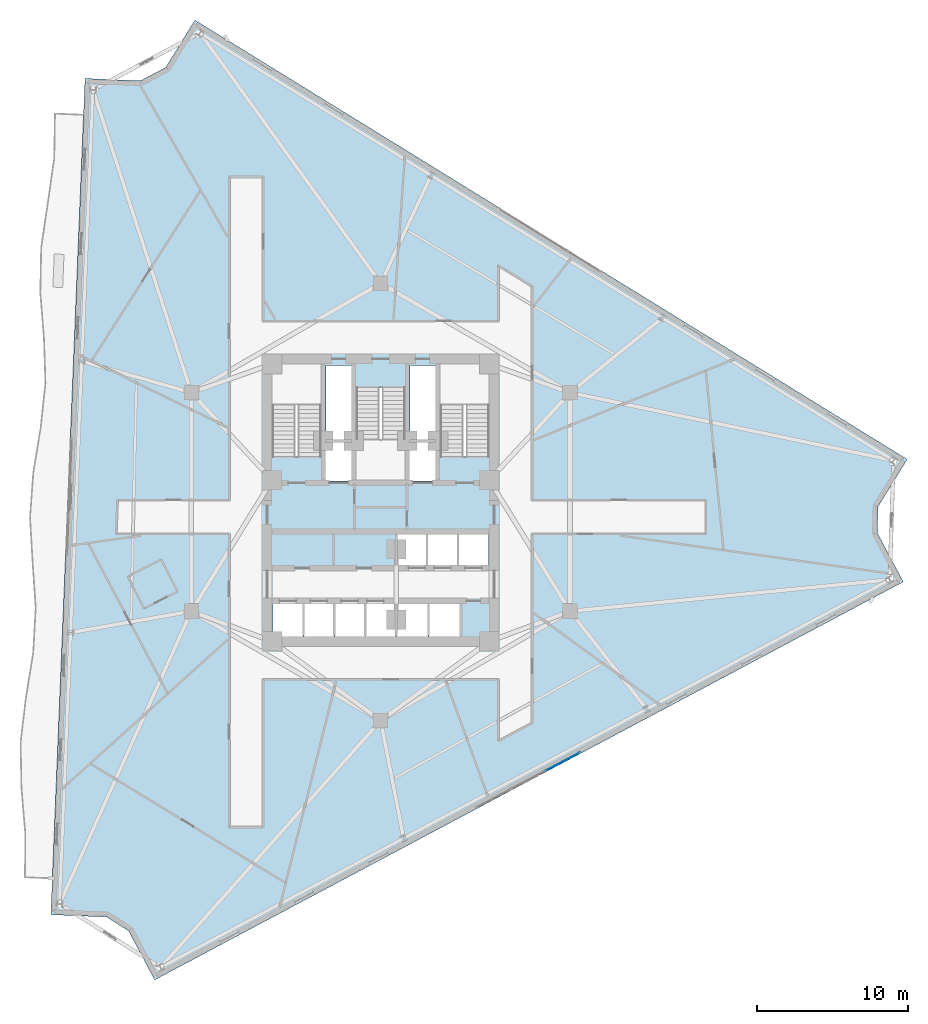
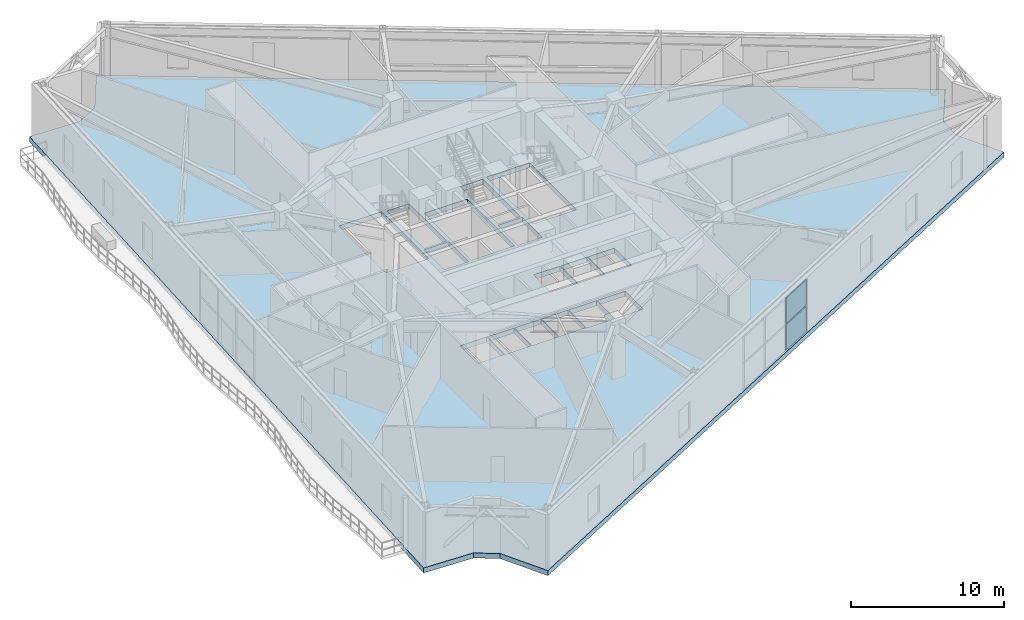
# One storey, part 13 of 22: 2 plates, 1 slab, 1 element without a shape of its own.
"""IFC4 building model written with IfcOpenShell, lengths in metres."""

import ifcopenshell
import ifcopenshell.guid

model = None  # the IFC model being written
_history = None  # IfcOwnerHistory: only IFC2X3 demands one
_inside = {}  # id of a spatial element -> (the spatial element, [elements in it])
_under = {}  # id of a project, library or spatial element -> (it, [spatial elements below it])
_declared = {}  # id of a project -> (the project, [libraries it declares])
_typed = {}  # id of a type object -> (the type object, [elements of that type])
_made_of = {}  # id of a material, layer set ... -> (it, [elements and type objects made of it])


def new_model(schema):
    """Start an empty IFC model of exactly this schema.

    Asked for "IFC4X3", IfcOpenShell would pick the latest addendum, in which some entities
    have other attributes; the version numbers below select the first issue.
    IFC2X3 requires an IfcOwnerHistory on every rooted entity: one is made here for all.
    """
    global model, _history
    if schema == "IFC4X3":
        model = ifcopenshell.file(schema_version=(4, 3, 0, 0))
    else:
        model = ifcopenshell.file(schema=schema)
    _inside.clear()
    _under.clear()
    _declared.clear()
    _typed.clear()
    _made_of.clear()
    _history = None
    if model.schema == "IFC2X3":
        org = make("IfcOrganization", Name="unknown")
        user = make(
            "IfcPersonAndOrganization",
            ThePerson=make("IfcPerson", FamilyName="unknown"),
            TheOrganization=org,
        )
        app = make(
            "IfcApplication",
            ApplicationDeveloper=org,
            Version="unknown",
            ApplicationFullName="unknown",
            ApplicationIdentifier="unknown",
        )
        _history = make(
            "IfcOwnerHistory",
            OwningUser=user,
            OwningApplication=app,
            ChangeAction="ADDED",
            CreationDate=0,
        )
    return model


def make(cls, **values):
    """One entity of the class cls with the attributes given. An attribute that is None is left unset."""
    return model.create_entity(
        cls, **{name: value for name, value in values.items() if value is not None}
    )


def rooted(cls, **values):
    """An entity with a GlobalId (a new one), such as an element, a storey or a relation."""
    return make(cls, GlobalId=ifcopenshell.guid.new(), OwnerHistory=_history, **values)


def si_unit(unit_type, name, prefix=None):
    """IfcSIUnit, for example si_unit("LENGTHUNIT", "METRE", prefix="MILLI")."""
    return make("IfcSIUnit", UnitType=unit_type, Prefix=prefix, Name=name)


def assignment(units):
    """IfcUnitAssignment: the units of a project."""
    return None if units is None else make("IfcUnitAssignment", Units=units)


def point(xyz):
    """IfcCartesianPoint."""
    return None if xyz is None else make("IfcCartesianPoint", Coordinates=xyz)


def direction(xyz):
    """IfcDirection."""
    return None if xyz is None else make("IfcDirection", DirectionRatios=xyz)


def frame(location, z_axis=None, x_axis=None):
    """IfcAxis2Placement3D, a coordinate frame: its origin and axes. An axis left out is left unset."""
    return make(
        "IfcAxis2Placement3D",
        Location=point(location),
        Axis=direction(z_axis),
        RefDirection=direction(x_axis),
    )


def frame_2d(location, x_axis=None):
    """IfcAxis2Placement2D, a coordinate frame in the plane: its origin and x axis."""
    return make(
        "IfcAxis2Placement2D", Location=point(location), RefDirection=direction(x_axis)
    )


def origin():
    """The frame at (0, 0, 0) with its axes left unset."""
    return frame((0.0, 0.0, 0.0))


def origin_2d():
    """The frame at (0, 0) in the plane with its x axis left unset."""
    return frame_2d((0.0, 0.0))


def place(relative_to, where):
    """IfcLocalPlacement: puts the frame where relative to a parent placement (None: the world)."""
    return make(
        "IfcLocalPlacement", PlacementRelTo=relative_to, RelativePlacement=where
    )


def context(
    kind, dimensions, precision=None, world=None, true_north=None, identifier=None
):
    """IfcGeometricRepresentationContext, for example the 3D "Model" context."""
    return make(
        "IfcGeometricRepresentationContext",
        ContextIdentifier=identifier,
        ContextType=kind,
        CoordinateSpaceDimension=dimensions,
        Precision=precision,
        WorldCoordinateSystem=world,
        TrueNorth=true_north,
    )


def subcontext(parent, identifier, kind, view, scale=None):
    """IfcGeometricRepresentationSubContext, for example "Body" below "Model"."""
    return make(
        "IfcGeometricRepresentationSubContext",
        ContextIdentifier=identifier,
        ContextType=kind,
        ParentContext=parent,
        TargetScale=scale,
        TargetView=view,
    )


def project(units=None, contexts=None):
    """IfcProject with its units and contexts."""
    return rooted(
        "IfcProject",
        Name="project",
        RepresentationContexts=contexts,
        UnitsInContext=assignment(units),
    )


def spatial(cls, under=None, at=None, **own):
    """A site, building, storey or space (cls), placed at a placement, below another one or the project."""
    s = rooted(cls, ObjectPlacement=at, **own)
    if under is not None:
        _under.setdefault(under.id(), (under, []))[1].append(s)
    return s


def polyline(points):
    """IfcPolyline through the points."""
    return make("IfcPolyline", Points=[point(p) for p in points])


def profile(cls, at=None, kind="AREA", **sizes):
    """A parametric profile (cls). Its sizes go by their IFC names, for example OverallWidth=200.0."""
    return make(cls, ProfileType=kind, Position=at, **sizes)


def rectangle(**sizes):
    """IfcRectangleProfileDef."""
    return profile("IfcRectangleProfileDef", **sizes)


def outline(outer, holes=None, kind="AREA"):
    """IfcArbitraryClosedProfileDef: a profile drawn as a closed curve; with holes, ...WithVoids."""
    if holes is None:
        return make("IfcArbitraryClosedProfileDef", ProfileType=kind, OuterCurve=outer)
    return make(
        "IfcArbitraryProfileDefWithVoids",
        ProfileType=kind,
        OuterCurve=outer,
        InnerCurves=holes,
    )


def extrude(swept, where, along, depth):
    """IfcExtrudedAreaSolid: the profile swept, set in the frame where, extruded along a direction by depth."""
    return make(
        "IfcExtrudedAreaSolid",
        SweptArea=swept,
        Position=where,
        ExtrudedDirection=direction(along),
        Depth=depth,
    )


def shape(context_of_items, identifier, shape_type, items):
    """IfcShapeRepresentation: the items that make up one representation, for example the "Body"."""
    return make(
        "IfcShapeRepresentation",
        ContextOfItems=context_of_items,
        RepresentationIdentifier=identifier,
        RepresentationType=shape_type,
        Items=items,
    )


def material(Name=None, Category=None):
    """IfcMaterial."""
    return make("IfcMaterial", Name=Name, Category=Category)


def layer(
    of_material, thickness, ventilated=None, Name=None, Category=None, Priority=None
):
    """IfcMaterialLayer: one layer of a wall or slab, of a material (None: an air gap)."""
    return make(
        "IfcMaterialLayer",
        Material=of_material,
        LayerThickness=thickness,
        IsVentilated=ventilated,
        Name=Name,
        Category=Category,
        Priority=Priority,
    )


def layer_set(layers, Name=None):
    """IfcMaterialLayerSet."""
    return make("IfcMaterialLayerSet", MaterialLayers=layers, LayerSetName=Name)


def made_of(thing, what):
    """Note that an element or type object is made of a material, layer set ...; save() writes the relation."""
    if what is not None:
        _made_of.setdefault(what.id(), (what, []))[1].append(thing)
    return thing


def type_object(cls, material=None, **own):
    """A type object (cls), such as IfcWallType, which elements share."""
    return made_of(rooted(cls, **own), material)


def element(
    cls,
    number,
    at=None,
    inside=None,
    cuts=None,
    type_object=None,
    material=None,
    context=None,
    identifier="Body",
    shape_type=None,
    held_by="IfcProductDefinitionShape",
    body=None,
    shapes=None,
    **own,
):
    """One element of the class cls, such as IfcWall. Its Tag is "e" and its number.

    at: its placement. inside: the storey or other place that contains it. cuts: it is an
    opening in that element (IfcRelVoidsElement). A single representation is given by context,
    identifier, shape_type and body (its items); several are given by shapes. held_by: the class
    of the entity that holds the representations. save() writes the other relations.
    """
    e = rooted(cls, Tag="e%d" % number, ObjectPlacement=at, **own)
    if body is not None:
        shapes = [shape(context, identifier, shape_type, body)]
    if shapes is not None:
        e.Representation = make(held_by, Representations=shapes)
    if inside is not None:
        _inside.setdefault(inside.id(), (inside, []))[1].append(e)
    if cuts is not None:
        rooted(
            "IfcRelVoidsElement", RelatingBuildingElement=cuts, RelatedOpeningElement=e
        )
    if type_object is not None:
        _typed.setdefault(type_object.id(), (type_object, []))[1].append(e)
    return made_of(e, material)


def aggregate(whole, parts):
    """IfcRelAggregates: a whole, such as a stair, and the parts it consists of."""
    return rooted("IfcRelAggregates", RelatingObject=whole, RelatedObjects=parts)


def save(model, path):
    """Write the relations noted so far, then the file.

    IfcRelAggregates (storeys below a building ...), IfcRelContainedInSpatialStructure (elements
    in a storey), IfcRelDefinesByType, IfcRelAssociatesMaterial and IfcRelDeclares: one each for
    every whole, place, type object, material and project.
    """
    for whole, parts in _under.values():
        aggregate(whole, parts)
    for where, things in _inside.values():
        rooted(
            "IfcRelContainedInSpatialStructure",
            RelatedElements=things,
            RelatingStructure=where,
        )
    for kind, things in _typed.values():
        rooted("IfcRelDefinesByType", RelatedObjects=things, RelatingType=kind)
    for what, things in _made_of.values():
        rooted("IfcRelAssociatesMaterial", RelatedObjects=things, RelatingMaterial=what)
    for by, libraries in _declared.values():
        rooted("IfcRelDeclares", RelatingContext=by, RelatedDefinitions=libraries)
    model.write(path)


model = new_model("IFC4")

# Units and contexts
model_context = context("Model", 3, precision=1e-05, world=origin(), true_north=direction((0.0, 1.0)))
body_context = subcontext(model_context, "Body", "Model", "MODEL_VIEW")
ifc_project = project(units=[si_unit("LENGTHUNIT", "METRE"), si_unit("AREAUNIT", "SQUARE_METRE"), si_unit("VOLUMEUNIT", "CUBIC_METRE"), si_unit("PLANEANGLEUNIT", "RADIAN"), si_unit("MASSUNIT", "GRAM", prefix="KILO")], contexts=[model_context])

# Site, building, storey
site_placement = place(None, origin())
site = spatial("IfcSite", under=ifc_project, at=site_placement, CompositionType="ELEMENT")
building_placement = place(site_placement, origin())
building = spatial("IfcBuilding", under=site, at=building_placement, Name="Apsidion Concourse Tower", CompositionType="ELEMENT")
storey_placement = place(building_placement, frame((0.0, 0.0, 160.89990234375)))
storey = spatial("IfcBuildingStorey", under=building, at=storey_placement, Name="L37", CompositionType="ELEMENT", Elevation=160.89990234375)

# Curtain wall, plates
ifc_material_1 = material(Name="Insulated laminated low-E glass", Category="glass")
ifc_layer_1 = layer(ifc_material_1, 0.2099609375)
ifc_layer_set_1 = layer_set([ifc_layer_1], Name="Insulated laminated low-E glass")
curtain_wall_type = type_object("IfcCurtainWallType", Name="CW-SYS-03", PredefinedType="NOTDEFINED", material=ifc_layer_set_1)
curtain_wall_placement = place(storey_placement, origin())
curtain_wall = element("IfcCurtainWall", 1, at=curtain_wall_placement, inside=storey, type_object=curtain_wall_type, Name="L37 Sky Lobby Curtain Wall 5", PredefinedType="NOTDEFINED")
ifc_layer_2 = layer(ifc_material_1, 0.031982421875)
ifc_layer_set_2 = layer_set([ifc_layer_2], Name="Insulated laminated low-E glass")
plate_type = type_object("IfcPlateType", Name="CWP-GLZ-32", PredefinedType="CURTAIN_PANEL", material=ifc_layer_set_2)
plate_1_placement = place(storey_placement, frame((12.0869140625, -17.215576171875, 0.06494140625), z_axis=(0.0, 0.0, 1.0), x_axis=(-0.882947409874, -0.46947190693, 0.0)))
plate_1 = element("IfcPlate", 2, at=plate_1_placement, type_object=plate_type, Name="CW-03 panel 1.1", PredefinedType="CURTAIN_PANEL", context=body_context, shape_type="SweptSolid", body=[
    extrude(rectangle(XDim=2.508544921875, YDim=0.031982421875, at=origin_2d()), origin(), (0.0, 0.0, 1.0), 2.052490234375),
])
plate_2_placement = place(storey_placement, frame((12.0869140625, -17.215576171875, 2.1826171875), z_axis=(0.0, 0.0, 1.0), x_axis=(-0.882947409874, -0.46947190693, 0.0)))
plate_2 = element("IfcPlate", 3, at=plate_2_placement, type_object=plate_type, Name="CW-03 panel 1.2", PredefinedType="CURTAIN_PANEL", context=body_context, shape_type="SweptSolid", body=[
    extrude(rectangle(XDim=2.508544921875, YDim=0.031982421875, at=origin_2d()), origin(), (0.0, 0.0, 1.0), 2.052490234375),
])
aggregate(curtain_wall, [plate_1, plate_2])

# Slab
ifc_material_2 = material(Name="Concrete C50/60", Category="concrete")
ifc_layer_3 = layer(ifc_material_2, 0.39990234375)
ifc_layer_set_3 = layer_set([ifc_layer_3], Name="Concrete C50/60")
slab_type = type_object("IfcSlabType", Name="SL-FLR-400", PredefinedType="FLOOR", material=ifc_layer_set_3)
slab_placement = place(storey_placement, frame((0.0, 0.0, -0.39990234375)))
element("IfcSlab", 4, at=slab_placement, inside=storey, type_object=slab_type, Name="L37 Structural Floor Slab", PredefinedType="FLOOR", context=body_context, shape_type="SweptSolid", body=[
    extrude(outline(polyline([(-12.3203125, 31.964111328125), (-14.256103515625, 28.824951171875), (-15.925048828125, 27.937744140625), (-19.610107421875, 28.088134765625), (-21.87548828125, -27.376220703125), (-18.1904296875, -27.526611328125), (-16.724609375, -28.448486328125), (-14.9931640625, -31.705078125), (34.668701171875, -5.29931640625), (32.937255859375, -2.04296875), (32.992431640625, -0.31201171875), (34.92822265625, 2.826904296875), (-12.3203125, 31.964111328125)]), holes=[polyline([(-3.949951171875, 3.0), (-3.949951171875, 9.14990234375), (-7.199951171875, 9.14990234375), (-7.199951171875, 3.0), (-3.949951171875, 3.0)]), polyline([(7.199951171875, 3.0), (7.199951171875, 9.14990234375), (3.949951171875, 9.14990234375), (3.949951171875, 3.0), (7.199951171875, 3.0)]), polyline([(-1.625, 7.60009765625), (-1.625, 1.449951171875), (1.625, 1.449951171875), (1.625, 7.60009765625), (-1.625, 7.60009765625)]), polyline([(1.054931640625, -4.300048828125), (3.044921875, -4.300048828125), (3.044921875, -2.050048828125), (1.054931640625, -2.050048828125), (1.054931640625, -4.300048828125)]), polyline([(3.10498046875, -4.300048828125), (5.094970703125, -4.300048828125), (5.094970703125, -2.050048828125), (3.10498046875, -2.050048828125), (3.10498046875, -4.300048828125)]), polyline([(5.155029296875, -4.300048828125), (7.14501953125, -4.300048828125), (7.14501953125, -2.050048828125), (5.155029296875, -2.050048828125), (5.155029296875, -4.300048828125)]), polyline([(-7.14501953125, -8.949951171875), (-5.155029296875, -8.949951171875), (-5.155029296875, -6.64990234375), (-7.14501953125, -6.64990234375), (-7.14501953125, -8.949951171875)]), polyline([(-5.094970703125, -8.949951171875), (-3.10498046875, -8.949951171875), (-3.10498046875, -6.64990234375), (-5.094970703125, -6.64990234375), (-5.094970703125, -8.949951171875)]), polyline([(-3.044921875, -8.949951171875), (-1.054931640625, -8.949951171875), (-1.054931640625, -6.64990234375), (-3.044921875, -6.64990234375), (-3.044921875, -8.949951171875)]), polyline([(-0.9951171875, -8.949951171875), (0.9951171875, -8.949951171875), (0.9951171875, -6.64990234375), (-0.9951171875, -6.64990234375), (-0.9951171875, -8.949951171875)]), polyline([(1.044921875, -9.0), (3.155029296875, -9.0), (3.155029296875, -6.64990234375), (1.044921875, -6.64990234375), (1.044921875, -9.0)]), polyline([(3.195068359375, -9.0), (5.304931640625, -9.0), (5.304931640625, -6.64990234375), (3.195068359375, -6.64990234375), (3.195068359375, -9.0)]), polyline([(-3.7099609375, 1.39990234375), (-1.85009765625, 1.39990234375), (-1.85009765625, 4.0), (-3.7099609375, 4.0), (-3.7099609375, 1.39990234375)]), polyline([(1.85009765625, 1.39990234375), (3.7099609375, 1.39990234375), (3.7099609375, 4.0), (1.85009765625, 4.0), (1.85009765625, 1.39990234375)]), polyline([(-3.6201171875, 4.14990234375), (-1.93994140625, 4.14990234375), (-1.93994140625, 9.050048828125), (-3.6201171875, 9.050048828125), (-3.6201171875, 4.14990234375)]), polyline([(1.93994140625, 4.14990234375), (3.6201171875, 4.14990234375), (3.6201171875, 9.050048828125), (1.93994140625, 9.050048828125), (1.93994140625, 4.14990234375)])]), origin(), (0.0, 0.0, 1.0), 0.39990234375),
])

save(model, "model.ifc")
